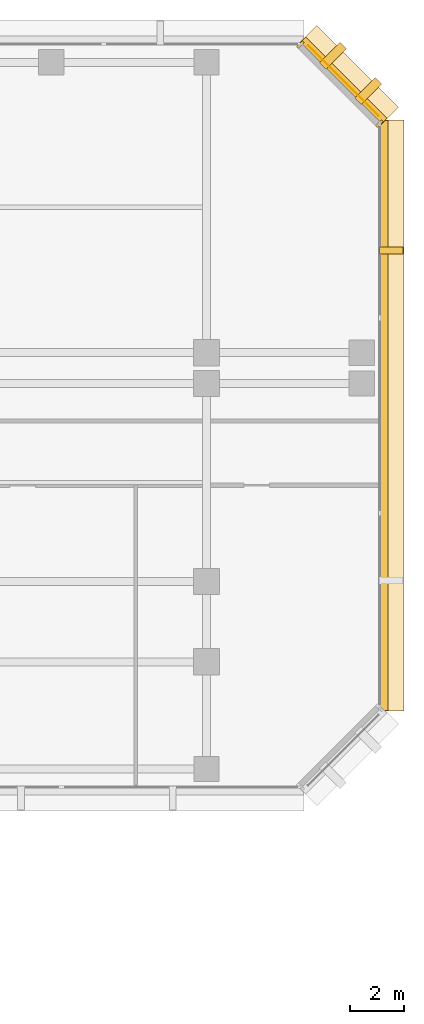
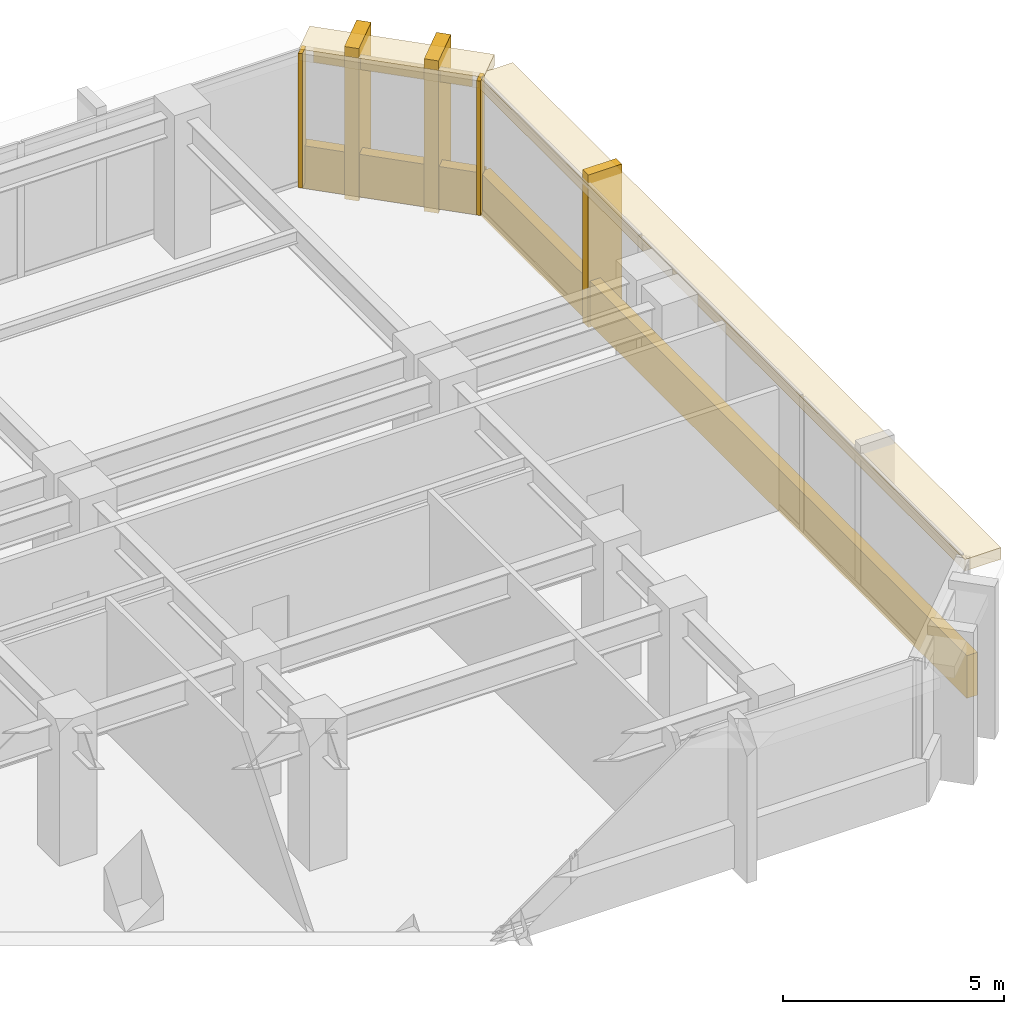
# One storey, part 13 of 13: 10 coverings.
"""IFC4 building model written with IfcOpenShell, lengths in metres."""

import ifcopenshell
import ifcopenshell.guid

model = None  # the IFC model being written
_history = None  # IfcOwnerHistory: only IFC2X3 demands one
_inside = {}  # id of a spatial element -> (the spatial element, [elements in it])
_under = {}  # id of a project, library or spatial element -> (it, [spatial elements below it])
_declared = {}  # id of a project -> (the project, [libraries it declares])
_typed = {}  # id of a type object -> (the type object, [elements of that type])
_made_of = {}  # id of a material, layer set ... -> (it, [elements and type objects made of it])


def new_model(schema):
    """Start an empty IFC model of exactly this schema.

    Asked for "IFC4X3", IfcOpenShell would pick the latest addendum, in which some entities
    have other attributes; the version numbers below select the first issue.
    IFC2X3 requires an IfcOwnerHistory on every rooted entity: one is made here for all.
    """
    global model, _history
    if schema == "IFC4X3":
        model = ifcopenshell.file(schema_version=(4, 3, 0, 0))
    else:
        model = ifcopenshell.file(schema=schema)
    _inside.clear()
    _under.clear()
    _declared.clear()
    _typed.clear()
    _made_of.clear()
    _history = None
    if model.schema == "IFC2X3":
        org = make("IfcOrganization", Name="unknown")
        user = make(
            "IfcPersonAndOrganization",
            ThePerson=make("IfcPerson", FamilyName="unknown"),
            TheOrganization=org,
        )
        app = make(
            "IfcApplication",
            ApplicationDeveloper=org,
            Version="unknown",
            ApplicationFullName="unknown",
            ApplicationIdentifier="unknown",
        )
        _history = make(
            "IfcOwnerHistory",
            OwningUser=user,
            OwningApplication=app,
            ChangeAction="ADDED",
            CreationDate=0,
        )
    return model


def make(cls, **values):
    """One entity of the class cls with the attributes given. An attribute that is None is left unset."""
    return model.create_entity(
        cls, **{name: value for name, value in values.items() if value is not None}
    )


def rooted(cls, **values):
    """An entity with a GlobalId (a new one), such as an element, a storey or a relation."""
    return make(cls, GlobalId=ifcopenshell.guid.new(), OwnerHistory=_history, **values)


def si_unit(unit_type, name, prefix=None):
    """IfcSIUnit, for example si_unit("LENGTHUNIT", "METRE", prefix="MILLI")."""
    return make("IfcSIUnit", UnitType=unit_type, Prefix=prefix, Name=name)


def assignment(units):
    """IfcUnitAssignment: the units of a project."""
    return None if units is None else make("IfcUnitAssignment", Units=units)


def point(xyz):
    """IfcCartesianPoint."""
    return None if xyz is None else make("IfcCartesianPoint", Coordinates=xyz)


def direction(xyz):
    """IfcDirection."""
    return None if xyz is None else make("IfcDirection", DirectionRatios=xyz)


def frame(location, z_axis=None, x_axis=None):
    """IfcAxis2Placement3D, a coordinate frame: its origin and axes. An axis left out is left unset."""
    return make(
        "IfcAxis2Placement3D",
        Location=point(location),
        Axis=direction(z_axis),
        RefDirection=direction(x_axis),
    )


def frame_2d(location, x_axis=None):
    """IfcAxis2Placement2D, a coordinate frame in the plane: its origin and x axis."""
    return make(
        "IfcAxis2Placement2D", Location=point(location), RefDirection=direction(x_axis)
    )


def origin():
    """The frame at (0, 0, 0) with its axes left unset."""
    return frame((0.0, 0.0, 0.0))


def origin_2d():
    """The frame at (0, 0) in the plane with its x axis left unset."""
    return frame_2d((0.0, 0.0))


def place(relative_to, where):
    """IfcLocalPlacement: puts the frame where relative to a parent placement (None: the world)."""
    return make(
        "IfcLocalPlacement", PlacementRelTo=relative_to, RelativePlacement=where
    )


def context(
    kind, dimensions, precision=None, world=None, true_north=None, identifier=None
):
    """IfcGeometricRepresentationContext, for example the 3D "Model" context."""
    return make(
        "IfcGeometricRepresentationContext",
        ContextIdentifier=identifier,
        ContextType=kind,
        CoordinateSpaceDimension=dimensions,
        Precision=precision,
        WorldCoordinateSystem=world,
        TrueNorth=true_north,
    )


def subcontext(parent, identifier, kind, view, scale=None):
    """IfcGeometricRepresentationSubContext, for example "Body" below "Model"."""
    return make(
        "IfcGeometricRepresentationSubContext",
        ContextIdentifier=identifier,
        ContextType=kind,
        ParentContext=parent,
        TargetScale=scale,
        TargetView=view,
    )


def project(units=None, contexts=None):
    """IfcProject with its units and contexts."""
    return rooted(
        "IfcProject",
        Name="project",
        RepresentationContexts=contexts,
        UnitsInContext=assignment(units),
    )


def spatial(cls, under=None, at=None, **own):
    """A site, building, storey or space (cls), placed at a placement, below another one or the project."""
    s = rooted(cls, ObjectPlacement=at, **own)
    if under is not None:
        _under.setdefault(under.id(), (under, []))[1].append(s)
    return s


def profile(cls, at=None, kind="AREA", **sizes):
    """A parametric profile (cls). Its sizes go by their IFC names, for example OverallWidth=200.0."""
    return make(cls, ProfileType=kind, Position=at, **sizes)


def rectangle(**sizes):
    """IfcRectangleProfileDef."""
    return profile("IfcRectangleProfileDef", **sizes)


def extrude(swept, where, along, depth):
    """IfcExtrudedAreaSolid: the profile swept, set in the frame where, extruded along a direction by depth."""
    return make(
        "IfcExtrudedAreaSolid",
        SweptArea=swept,
        Position=where,
        ExtrudedDirection=direction(along),
        Depth=depth,
    )


def shape(context_of_items, identifier, shape_type, items):
    """IfcShapeRepresentation: the items that make up one representation, for example the "Body"."""
    return make(
        "IfcShapeRepresentation",
        ContextOfItems=context_of_items,
        RepresentationIdentifier=identifier,
        RepresentationType=shape_type,
        Items=items,
    )


def material(Name=None, Category=None):
    """IfcMaterial."""
    return make("IfcMaterial", Name=Name, Category=Category)


def layer(
    of_material, thickness, ventilated=None, Name=None, Category=None, Priority=None
):
    """IfcMaterialLayer: one layer of a wall or slab, of a material (None: an air gap)."""
    return make(
        "IfcMaterialLayer",
        Material=of_material,
        LayerThickness=thickness,
        IsVentilated=ventilated,
        Name=Name,
        Category=Category,
        Priority=Priority,
    )


def layer_set(layers, Name=None):
    """IfcMaterialLayerSet."""
    return make("IfcMaterialLayerSet", MaterialLayers=layers, LayerSetName=Name)


def made_of(thing, what):
    """Note that an element or type object is made of a material, layer set ...; save() writes the relation."""
    if what is not None:
        _made_of.setdefault(what.id(), (what, []))[1].append(thing)
    return thing


def type_object(cls, material=None, **own):
    """A type object (cls), such as IfcWallType, which elements share."""
    return made_of(rooted(cls, **own), material)


def element(
    cls,
    number,
    at=None,
    inside=None,
    cuts=None,
    type_object=None,
    material=None,
    context=None,
    identifier="Body",
    shape_type=None,
    held_by="IfcProductDefinitionShape",
    body=None,
    shapes=None,
    **own,
):
    """One element of the class cls, such as IfcWall. Its Tag is "e" and its number.

    at: its placement. inside: the storey or other place that contains it. cuts: it is an
    opening in that element (IfcRelVoidsElement). A single representation is given by context,
    identifier, shape_type and body (its items); several are given by shapes. held_by: the class
    of the entity that holds the representations. save() writes the other relations.
    """
    e = rooted(cls, Tag="e%d" % number, ObjectPlacement=at, **own)
    if body is not None:
        shapes = [shape(context, identifier, shape_type, body)]
    if shapes is not None:
        e.Representation = make(held_by, Representations=shapes)
    if inside is not None:
        _inside.setdefault(inside.id(), (inside, []))[1].append(e)
    if cuts is not None:
        rooted(
            "IfcRelVoidsElement", RelatingBuildingElement=cuts, RelatedOpeningElement=e
        )
    if type_object is not None:
        _typed.setdefault(type_object.id(), (type_object, []))[1].append(e)
    return made_of(e, material)


def aggregate(whole, parts):
    """IfcRelAggregates: a whole, such as a stair, and the parts it consists of."""
    return rooted("IfcRelAggregates", RelatingObject=whole, RelatedObjects=parts)


def save(model, path):
    """Write the relations noted so far, then the file.

    IfcRelAggregates (storeys below a building ...), IfcRelContainedInSpatialStructure (elements
    in a storey), IfcRelDefinesByType, IfcRelAssociatesMaterial and IfcRelDeclares: one each for
    every whole, place, type object, material and project.
    """
    for whole, parts in _under.values():
        aggregate(whole, parts)
    for where, things in _inside.values():
        rooted(
            "IfcRelContainedInSpatialStructure",
            RelatedElements=things,
            RelatingStructure=where,
        )
    for kind, things in _typed.values():
        rooted("IfcRelDefinesByType", RelatedObjects=things, RelatingType=kind)
    for what, things in _made_of.values():
        rooted("IfcRelAssociatesMaterial", RelatedObjects=things, RelatingMaterial=what)
    for by, libraries in _declared.values():
        rooted("IfcRelDeclares", RelatingContext=by, RelatedDefinitions=libraries)
    model.write(path)


model = new_model("IFC4")

# Units and contexts
model_context = context("Model", 3, precision=1e-05, world=origin(), true_north=direction((0.0, 1.0)))
body_context = subcontext(model_context, "Body", "Model", "MODEL_VIEW")
ifc_project = project(units=[si_unit("LENGTHUNIT", "METRE"), si_unit("AREAUNIT", "SQUARE_METRE"), si_unit("VOLUMEUNIT", "CUBIC_METRE"), si_unit("PLANEANGLEUNIT", "RADIAN"), si_unit("MASSUNIT", "GRAM", prefix="KILO")], contexts=[model_context])

# Site, building, storey
site_placement = place(None, origin())
site = spatial("IfcSite", under=ifc_project, at=site_placement, CompositionType="ELEMENT")
building_placement = place(site_placement, origin())
building = spatial("IfcBuilding", under=site, at=building_placement, Name="Kefirva Bronze Tower", CompositionType="ELEMENT")
storey_placement = place(building_placement, frame((0.0, 0.0, 85.800048828125)))
storey = spatial("IfcBuildingStorey", under=building, at=storey_placement, Name="L20", CompositionType="ELEMENT", Elevation=85.800048828125)

# Coverings
ifc_material = material(Name="Bronze anodised aluminium", Category="aluminium")
ifc_layer_1 = layer(ifc_material, 0.02001953125, Name="Bronze anodised aluminium")
ifc_layer_set_1 = layer_set([ifc_layer_1], Name="Bronze anodised aluminium")
covering_type_1 = type_object("IfcCoveringType", Name="Anodised Bronze Spandrel Cladding 20mm", PredefinedType="CLADDING", material=ifc_layer_set_1)
covering_1_placement = place(storey_placement, frame((56.0400390625, 32.0, -0.16015625), z_axis=(0.0, 0.0, 1.0), x_axis=(0.0, 1.0, 0.0)))
element("IfcCovering", 1, at=covering_1_placement, inside=storey, type_object=covering_type_1, Name="L20 Streamline Horizontal Spandrel Band 6", PredefinedType="CLADDING", context=body_context, shape_type="SweptSolid", body=[
    extrude(rectangle(XDim=22.0400390625, YDim=0.280029296875, at=origin_2d()), origin(), (0.0, 0.0, 1.0), 1.179931640625),
])
covering_2_placement = place(storey_placement, frame((54.507080078125, 44.507080078125, 3.2900390625), z_axis=(0.0, 0.0, 1.0), x_axis=(-0.707106781187, 0.707106781187, 0.0)))
element("IfcCovering", 2, at=covering_2_placement, inside=storey, type_object=covering_type_1, Name="L20 Bronze Spandrel Cladding 5", PredefinedType="CLADDING", context=body_context, shape_type="SweptSolid", body=[
    extrude(rectangle(XDim=3.719482421875, YDim=0.02001953125, at=origin_2d()), origin(), (0.0, 0.0, 1.0), 0.39990234375),
])
for number, where, z_axis, x_axis, name in (
    (3, (55.862060546875, 42.91162109375, 0.0), (0.0, 0.0, 1.0), (-0.707106781187, 0.707106781187, 0.0), "L20 Facade Joint Closure Panel 5S"),
    (4, (52.91162109375, 45.862060546875, 0.0), (0.0, 0.0, 1.0), (-0.707106781187, 0.707106781187, 0.0), "L20 Facade Joint Closure Panel 5E"),
):
    element("IfcCovering", number, at=place(storey_placement, frame(where, z_axis=z_axis, x_axis=x_axis)), inside=storey, type_object=covering_type_1, Name=name, PredefinedType="CLADDING", context=body_context, shape_type="SweptSolid", body=[
        extrude(rectangle(XDim=0.10009765625, YDim=0.320068359375, at=origin_2d()), origin(), (0.0, 0.0, 1.0), 3.7099609375),
    ])
covering_3_placement = place(storey_placement, frame((54.5283203125, 44.5283203125, -0.16015625), z_axis=(0.0, 0.0, 1.0), x_axis=(-0.707106781187, 0.707106781187, 0.0)))
element("IfcCovering", 5, at=covering_3_placement, inside=storey, type_object=covering_type_1, Name="L20 Streamline Horizontal Spandrel Band 7", PredefinedType="CLADDING", context=body_context, shape_type="SweptSolid", body=[
    extrude(rectangle(XDim=4.28271484375, YDim=0.280029296875, at=origin_2d()), origin(), (0.0, 0.0, 1.0), 1.179931640625),
])
ifc_layer_2 = layer(ifc_material, 0.179931640625, Name="Bronze anodised aluminium")
ifc_layer_set_2 = layer_set([ifc_layer_2], Name="Bronze anodised aluminium")
covering_type_2 = type_object("IfcCoveringType", Name="Streamline Bronze Sunshade Eyebrow Cladding 180mm", PredefinedType="CLADDING", material=ifc_layer_set_2)
covering_4_placement = place(storey_placement, frame((56.31005859375, 32.0, 3.39013671875), z_axis=(0.0, 0.0, 1.0), x_axis=(0.0, 1.0, 0.0)))
element("IfcCovering", 6, at=covering_4_placement, inside=storey, type_object=covering_type_2, Name="L20 Streamline Bronze Sunshade Eyebrow 6", PredefinedType="CLADDING", context=body_context, shape_type="SweptSolid", body=[
    extrude(rectangle(XDim=22.080078125, YDim=0.93994140625, at=origin_2d()), origin(), (0.0, 0.0, 1.0), 0.320068359375),
])
covering_5_placement = place(storey_placement, frame((54.71923828125, 44.71923828125, 3.39013671875), z_axis=(0.0, 0.0, 1.0), x_axis=(-0.707106781187, 0.707106781187, 0.0)))
element("IfcCovering", 7, at=covering_5_placement, inside=storey, type_object=covering_type_2, Name="L20 Streamline Bronze Sunshade Eyebrow 7", PredefinedType="CLADDING", context=body_context, shape_type="SweptSolid", body=[
    extrude(rectangle(XDim=4.322509765625, YDim=0.93994140625, at=origin_2d()), origin(), (0.0, 0.0, 1.0), 0.320068359375),
])
ifc_layer_3 = layer(ifc_material, 0.260009765625, Name="Bronze anodised aluminium")
ifc_layer_set_3 = layer_set([ifc_layer_3], Name="Bronze anodised aluminium")
covering_type_3 = type_object("IfcCoveringType", Name="Unbroken Bronze Buttress Fin Cladding 260mm", PredefinedType="CLADDING", material=ifc_layer_set_3)
covering_6_placement = place(storey_placement, frame((56.300048828125, 38.159912109375, -0.25), z_axis=(0.0, 0.0, 1.0), x_axis=(0.0, 1.0, 0.0)))
element("IfcCovering", 8, at=covering_6_placement, inside=storey, type_object=covering_type_3, Name="L20 Unbroken Vertical Bronze Rib Fin 16", PredefinedType="CLADDING", context=body_context, shape_type="SweptSolid", body=[
    extrude(rectangle(XDim=0.260009765625, YDim=0.8798828125, at=origin_2d()), origin(), (0.0, 0.0, 1.0), 4.2099609375),
])
for number, where, z_axis, x_axis, name in (
    (9, (55.44287109375, 44.122802734375, -0.25), (0.0, 0.0, 1.0), (-0.707106781187, 0.707106781187, 0.0), "L20 Chamfered Corner Buttress Fin Cladding 17"),
    (10, (54.122802734375, 45.44287109375, -0.25), (0.0, 0.0, 1.0), (-0.707106781187, 0.707106781187, 0.0), "L20 Chamfered Corner Buttress Fin Cladding 18"),
):
    element("IfcCovering", number, at=place(storey_placement, frame(where, z_axis=z_axis, x_axis=x_axis)), inside=storey, type_object=covering_type_3, Name=name, PredefinedType="CLADDING", context=body_context, shape_type="SweptSolid", body=[
        extrude(rectangle(XDim=0.340087890625, YDim=1.080078125, at=origin_2d()), origin(), (0.0, 0.0, 1.0), 4.2099609375),
    ])

save(model, "model.ifc")
